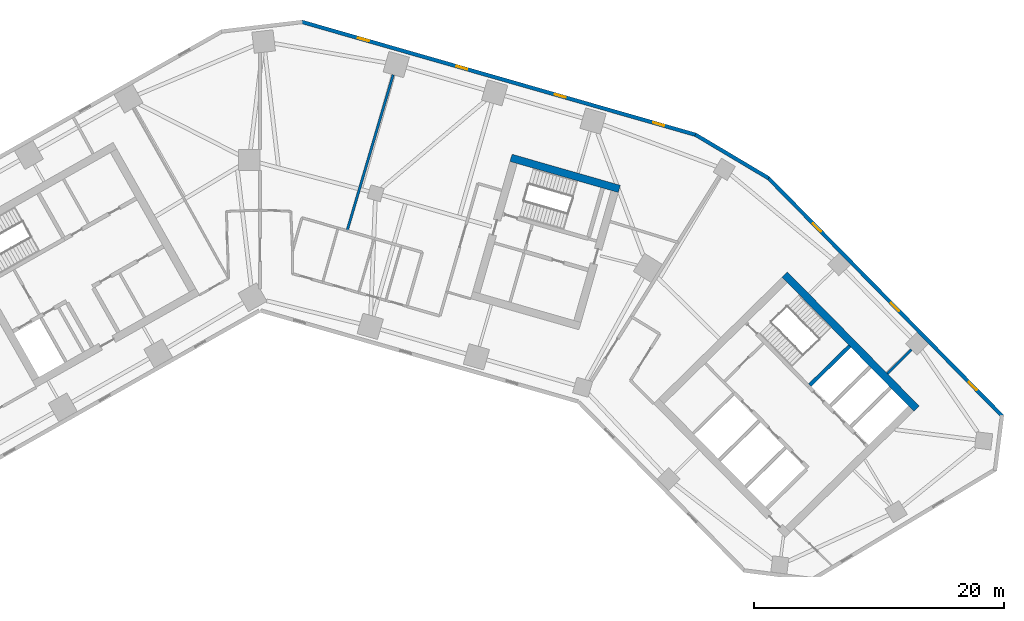
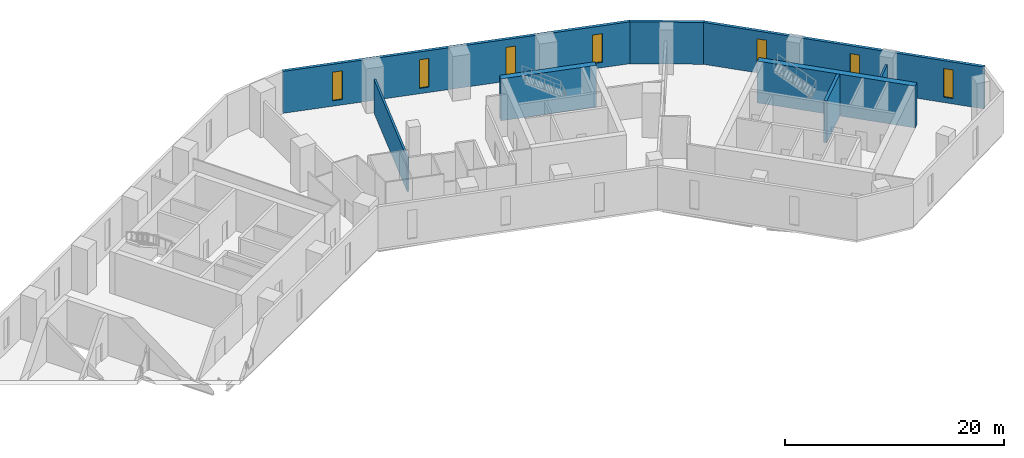
# One storey, part 7 of 10: 8 walls, 7 windows, 7 openings.
"""IFC4 building model written with IfcOpenShell, lengths in metres."""

import ifcopenshell
import ifcopenshell.guid

model = None  # the IFC model being written
_history = None  # IfcOwnerHistory: only IFC2X3 demands one
_inside = {}  # id of a spatial element -> (the spatial element, [elements in it])
_under = {}  # id of a project, library or spatial element -> (it, [spatial elements below it])
_declared = {}  # id of a project -> (the project, [libraries it declares])
_typed = {}  # id of a type object -> (the type object, [elements of that type])
_made_of = {}  # id of a material, layer set ... -> (it, [elements and type objects made of it])


def new_model(schema):
    """Start an empty IFC model of exactly this schema.

    Asked for "IFC4X3", IfcOpenShell would pick the latest addendum, in which some entities
    have other attributes; the version numbers below select the first issue.
    IFC2X3 requires an IfcOwnerHistory on every rooted entity: one is made here for all.
    """
    global model, _history
    if schema == "IFC4X3":
        model = ifcopenshell.file(schema_version=(4, 3, 0, 0))
    else:
        model = ifcopenshell.file(schema=schema)
    _inside.clear()
    _under.clear()
    _declared.clear()
    _typed.clear()
    _made_of.clear()
    _history = None
    if model.schema == "IFC2X3":
        org = make("IfcOrganization", Name="unknown")
        user = make(
            "IfcPersonAndOrganization",
            ThePerson=make("IfcPerson", FamilyName="unknown"),
            TheOrganization=org,
        )
        app = make(
            "IfcApplication",
            ApplicationDeveloper=org,
            Version="unknown",
            ApplicationFullName="unknown",
            ApplicationIdentifier="unknown",
        )
        _history = make(
            "IfcOwnerHistory",
            OwningUser=user,
            OwningApplication=app,
            ChangeAction="ADDED",
            CreationDate=0,
        )
    return model


def make(cls, **values):
    """One entity of the class cls with the attributes given. An attribute that is None is left unset."""
    return model.create_entity(
        cls, **{name: value for name, value in values.items() if value is not None}
    )


def rooted(cls, **values):
    """An entity with a GlobalId (a new one), such as an element, a storey or a relation."""
    return make(cls, GlobalId=ifcopenshell.guid.new(), OwnerHistory=_history, **values)


def si_unit(unit_type, name, prefix=None):
    """IfcSIUnit, for example si_unit("LENGTHUNIT", "METRE", prefix="MILLI")."""
    return make("IfcSIUnit", UnitType=unit_type, Prefix=prefix, Name=name)


def assignment(units):
    """IfcUnitAssignment: the units of a project."""
    return None if units is None else make("IfcUnitAssignment", Units=units)


def point(xyz):
    """IfcCartesianPoint."""
    return None if xyz is None else make("IfcCartesianPoint", Coordinates=xyz)


def direction(xyz):
    """IfcDirection."""
    return None if xyz is None else make("IfcDirection", DirectionRatios=xyz)


def frame(location, z_axis=None, x_axis=None):
    """IfcAxis2Placement3D, a coordinate frame: its origin and axes. An axis left out is left unset."""
    return make(
        "IfcAxis2Placement3D",
        Location=point(location),
        Axis=direction(z_axis),
        RefDirection=direction(x_axis),
    )


def frame_2d(location, x_axis=None):
    """IfcAxis2Placement2D, a coordinate frame in the plane: its origin and x axis."""
    return make(
        "IfcAxis2Placement2D", Location=point(location), RefDirection=direction(x_axis)
    )


def origin():
    """The frame at (0, 0, 0) with its axes left unset."""
    return frame((0.0, 0.0, 0.0))


def place(relative_to, where):
    """IfcLocalPlacement: puts the frame where relative to a parent placement (None: the world)."""
    return make(
        "IfcLocalPlacement", PlacementRelTo=relative_to, RelativePlacement=where
    )


def context(
    kind, dimensions, precision=None, world=None, true_north=None, identifier=None
):
    """IfcGeometricRepresentationContext, for example the 3D "Model" context."""
    return make(
        "IfcGeometricRepresentationContext",
        ContextIdentifier=identifier,
        ContextType=kind,
        CoordinateSpaceDimension=dimensions,
        Precision=precision,
        WorldCoordinateSystem=world,
        TrueNorth=true_north,
    )


def subcontext(parent, identifier, kind, view, scale=None):
    """IfcGeometricRepresentationSubContext, for example "Body" below "Model"."""
    return make(
        "IfcGeometricRepresentationSubContext",
        ContextIdentifier=identifier,
        ContextType=kind,
        ParentContext=parent,
        TargetScale=scale,
        TargetView=view,
    )


def project(units=None, contexts=None):
    """IfcProject with its units and contexts."""
    return rooted(
        "IfcProject",
        Name="project",
        RepresentationContexts=contexts,
        UnitsInContext=assignment(units),
    )


def spatial(cls, under=None, at=None, **own):
    """A site, building, storey or space (cls), placed at a placement, below another one or the project."""
    s = rooted(cls, ObjectPlacement=at, **own)
    if under is not None:
        _under.setdefault(under.id(), (under, []))[1].append(s)
    return s


def profile(cls, at=None, kind="AREA", **sizes):
    """A parametric profile (cls). Its sizes go by their IFC names, for example OverallWidth=200.0."""
    return make(cls, ProfileType=kind, Position=at, **sizes)


def rectangle(**sizes):
    """IfcRectangleProfileDef."""
    return profile("IfcRectangleProfileDef", **sizes)


def extrude(swept, where, along, depth):
    """IfcExtrudedAreaSolid: the profile swept, set in the frame where, extruded along a direction by depth."""
    return make(
        "IfcExtrudedAreaSolid",
        SweptArea=swept,
        Position=where,
        ExtrudedDirection=direction(along),
        Depth=depth,
    )


def shape(context_of_items, identifier, shape_type, items):
    """IfcShapeRepresentation: the items that make up one representation, for example the "Body"."""
    return make(
        "IfcShapeRepresentation",
        ContextOfItems=context_of_items,
        RepresentationIdentifier=identifier,
        RepresentationType=shape_type,
        Items=items,
    )


def material(Name=None, Category=None):
    """IfcMaterial."""
    return make("IfcMaterial", Name=Name, Category=Category)


def layer(
    of_material, thickness, ventilated=None, Name=None, Category=None, Priority=None
):
    """IfcMaterialLayer: one layer of a wall or slab, of a material (None: an air gap)."""
    return make(
        "IfcMaterialLayer",
        Material=of_material,
        LayerThickness=thickness,
        IsVentilated=ventilated,
        Name=Name,
        Category=Category,
        Priority=Priority,
    )


def layer_set(layers, Name=None):
    """IfcMaterialLayerSet."""
    return make("IfcMaterialLayerSet", MaterialLayers=layers, LayerSetName=Name)


def made_of(thing, what):
    """Note that an element or type object is made of a material, layer set ...; save() writes the relation."""
    if what is not None:
        _made_of.setdefault(what.id(), (what, []))[1].append(thing)
    return thing


def type_object(cls, material=None, **own):
    """A type object (cls), such as IfcWallType, which elements share."""
    return made_of(rooted(cls, **own), material)


def element(
    cls,
    number,
    at=None,
    inside=None,
    cuts=None,
    type_object=None,
    material=None,
    context=None,
    identifier="Body",
    shape_type=None,
    held_by="IfcProductDefinitionShape",
    body=None,
    shapes=None,
    **own,
):
    """One element of the class cls, such as IfcWall. Its Tag is "e" and its number.

    at: its placement. inside: the storey or other place that contains it. cuts: it is an
    opening in that element (IfcRelVoidsElement). A single representation is given by context,
    identifier, shape_type and body (its items); several are given by shapes. held_by: the class
    of the entity that holds the representations. save() writes the other relations.
    """
    e = rooted(cls, Tag="e%d" % number, ObjectPlacement=at, **own)
    if body is not None:
        shapes = [shape(context, identifier, shape_type, body)]
    if shapes is not None:
        e.Representation = make(held_by, Representations=shapes)
    if inside is not None:
        _inside.setdefault(inside.id(), (inside, []))[1].append(e)
    if cuts is not None:
        rooted(
            "IfcRelVoidsElement", RelatingBuildingElement=cuts, RelatedOpeningElement=e
        )
    if type_object is not None:
        _typed.setdefault(type_object.id(), (type_object, []))[1].append(e)
    return made_of(e, material)


def fill(opening, filler):
    """IfcRelFillsElement: the door or window that sits in an opening."""
    return rooted(
        "IfcRelFillsElement",
        RelatingOpeningElement=opening,
        RelatedBuildingElement=filler,
    )


def aggregate(whole, parts):
    """IfcRelAggregates: a whole, such as a stair, and the parts it consists of."""
    return rooted("IfcRelAggregates", RelatingObject=whole, RelatedObjects=parts)


def save(model, path):
    """Write the relations noted so far, then the file.

    IfcRelAggregates (storeys below a building ...), IfcRelContainedInSpatialStructure (elements
    in a storey), IfcRelDefinesByType, IfcRelAssociatesMaterial and IfcRelDeclares: one each for
    every whole, place, type object, material and project.
    """
    for whole, parts in _under.values():
        aggregate(whole, parts)
    for where, things in _inside.values():
        rooted(
            "IfcRelContainedInSpatialStructure",
            RelatedElements=things,
            RelatingStructure=where,
        )
    for kind, things in _typed.values():
        rooted("IfcRelDefinesByType", RelatedObjects=things, RelatingType=kind)
    for what, things in _made_of.values():
        rooted("IfcRelAssociatesMaterial", RelatedObjects=things, RelatingMaterial=what)
    for by, libraries in _declared.values():
        rooted("IfcRelDeclares", RelatingContext=by, RelatedDefinitions=libraries)
    model.write(path)


model = new_model("IFC4")

# Units and contexts
model_context = context("Model", 3, precision=1e-05, world=origin(), true_north=direction((0.0, 1.0)))
body_context = subcontext(model_context, "Body", "Model", "MODEL_VIEW")
ifc_project = project(units=[si_unit("LENGTHUNIT", "METRE"), si_unit("AREAUNIT", "SQUARE_METRE"), si_unit("VOLUMEUNIT", "CUBIC_METRE"), si_unit("PLANEANGLEUNIT", "RADIAN"), si_unit("MASSUNIT", "GRAM", prefix="KILO")], contexts=[model_context])

# Site, building, storey
site_placement = place(None, origin())
site = spatial("IfcSite", under=ifc_project, at=site_placement, CompositionType="ELEMENT")
building_placement = place(site_placement, origin())
building = spatial("IfcBuilding", under=site, at=building_placement, Name="Binnacle Exchange Tower", CompositionType="ELEMENT")
storey_placement = place(building_placement, frame((0.0, 0.0, 51.5)))
storey = spatial("IfcBuildingStorey", under=building, at=storey_placement, Name="L10", CompositionType="ELEMENT", Elevation=51.5)

# Walls
ifc_material_1 = material(Name="Concrete C70/85", Category="concrete")
ifc_layer_1 = layer(ifc_material_1, 0.60009765625)
ifc_layer_set_1 = layer_set([ifc_layer_1], Name="Core wall - outer 600")
wall_type_1 = type_object("IfcWallType", Name="Core wall - outer 600", PredefinedType="SOLIDWALL", material=ifc_layer_set_1)
wall_1_placement = place(storey_placement, frame((41.91650390625, 50.855712890625, 0.0), z_axis=(0.0, 0.0, 1.0), x_axis=(0.700911255944, -0.713248491965, 0.0)))
element("IfcWall", 1, at=wall_1_placement, inside=storey, type_object=wall_type_1, Name="Core wall CRWB6", PredefinedType="SOLIDWALL", context=body_context, shape_type="SweptSolid", body=[
    extrude(rectangle(XDim=15.0, YDim=0.60009765625, at=frame_2d((7.5, 0.0))), origin(), (0.0, 0.0, 1.0), 4.679931640625),
])
wall_2_placement = place(storey_placement, frame((20.052734375, 60.1796875, 0.0), z_axis=(0.0, 0.0, 1.0), x_axis=(0.96126248289, -0.275634611374, 0.0)))
element("IfcWall", 2, at=wall_2_placement, inside=storey, type_object=wall_type_1, Name="Core wall CRWD6", PredefinedType="SOLIDWALL", context=body_context, shape_type="SweptSolid", body=[
    extrude(rectangle(XDim=9.0, YDim=0.60009765625, at=frame_2d((4.5, 0.0))), origin(), (0.0, 0.0, 1.0), 4.679931640625),
])
ifc_layer_2 = layer(ifc_material_1, 0.300048828125)
ifc_layer_set_2 = layer_set([ifc_layer_2], Name="Core wall - stair 300")
wall_type_2 = type_object("IfcWallType", Name="Core wall - stair 300", PredefinedType="SOLIDWALL", material=ifc_layer_set_2)
wall_3_placement = place(storey_placement, frame((43.925537109375, 42.034423828125, 0.0), z_axis=(0.0, 0.0, 1.0), x_axis=(0.713251741427, 0.700907949271, 0.0)))
element("IfcWall", 3, at=wall_3_placement, inside=storey, type_object=wall_type_2, Name="Core wall CRWB11", PredefinedType="SOLIDWALL", context=body_context, shape_type="SweptSolid", body=[
    extrude(rectangle(XDim=4.4501953125, YDim=0.300048828125, at=frame_2d((2.22509765625, 0.0))), origin(), (0.0, 0.0, 1.0), 4.679931640625),
])
ifc_material_2 = material(Name="Bronze aluminium cladding", Category="aluminium")
ifc_layer_3 = layer(ifc_material_2, 0.300048828125)
ifc_layer_set_3 = layer_set([ifc_layer_3], Name="External wall - spandrel 300")
wall_type_3 = type_object("IfcWallType", Name="External wall - spandrel 300", PredefinedType="STANDARD", material=ifc_layer_set_3)
wall_4_placement = place(storey_placement, frame((34.773193359375, 62.0341796875, 0.0), z_axis=(0.0, 0.0, 1.0), x_axis=(0.859401317772, -0.511301647769, 0.0)))
element("IfcWall", 4, at=wall_4_placement, inside=storey, type_object=wall_type_3, Name="External wall EW-F00 L10", PredefinedType="STANDARD", context=body_context, shape_type="SweptSolid", body=[
    extrude(rectangle(XDim=6.80810546875, YDim=0.300048828125, at=frame_2d((3.404052734375, 0.0))), origin(), (0.0, 0.0, 1.0), 4.679931640625),
])

# Wall, openings, windows
wall_5_placement = place(storey_placement, frame((3.33544921875, 71.043701171875, 0.0), z_axis=(0.0, 0.0, 1.0), x_axis=(0.961260130989, -0.275642813387, 0.0)))
wall_5 = element("IfcWall", 5, at=wall_5_placement, inside=storey, type_object=wall_type_3, Name="External wall EW-F01 L10", PredefinedType="STANDARD", context=body_context, shape_type="SweptSolid", body=[
    extrude(rectangle(XDim=32.7412109375, YDim=0.300048828125, at=frame_2d((16.37060546875, 0.0))), origin(), (0.0, 0.0, 1.0), 4.679931640625),
])
opening_1_placement = place(wall_5_placement, frame((29.20703125, 0.0, 0.60009765625)))
opening_1 = element("IfcOpeningElement", 6, at=opening_1_placement, cuts=wall_5, Name="Opening WS1", PredefinedType="OPENING", context=body_context, shape_type="SweptSolid", body=[
    extrude(rectangle(XDim=0.89990234375, YDim=3.199951171875, at=frame_2d((0.449951171875, 1.60009765625))), frame((0.0, 0.159912109375, 0.0), z_axis=(0.0, -1.0, 0.0), x_axis=(1.0, 0.0, 0.0)), (0.0, 0.0, 1.0), 0.320068359375),
])
opening_2_placement = place(wall_5_placement, frame((21.0341796875, 0.0, 0.60009765625)))
opening_2 = element("IfcOpeningElement", 7, at=opening_2_placement, cuts=wall_5, Name="Opening WS1", PredefinedType="OPENING", context=body_context, shape_type="SweptSolid", body=[
    extrude(rectangle(XDim=0.89990234375, YDim=3.199951171875, at=frame_2d((0.449951171875, 1.60009765625))), frame((0.0, 0.159912109375, 0.0), z_axis=(0.0, -1.0, 0.0), x_axis=(1.0, 0.0, 0.0)), (0.0, 0.0, 1.0), 0.320068359375),
])
opening_3_placement = place(wall_5_placement, frame((12.861083984375, 0.0, 0.60009765625)))
opening_3 = element("IfcOpeningElement", 8, at=opening_3_placement, cuts=wall_5, Name="Opening WS1", PredefinedType="OPENING", context=body_context, shape_type="SweptSolid", body=[
    extrude(rectangle(XDim=0.89990234375, YDim=3.199951171875, at=frame_2d((0.449951171875, 1.60009765625))), frame((0.0, 0.159912109375, 0.0), z_axis=(0.0, -1.0, 0.0), x_axis=(1.0, 0.0, 0.0)), (0.0, 0.0, 1.0), 0.320068359375),
])
opening_4_placement = place(wall_5_placement, frame((4.688232421875, 0.0, 0.60009765625)))
opening_4 = element("IfcOpeningElement", 9, at=opening_4_placement, cuts=wall_5, Name="Opening WS1", PredefinedType="OPENING", context=body_context, shape_type="SweptSolid", body=[
    extrude(rectangle(XDim=0.89990234375, YDim=3.199951171875, at=frame_2d((0.449951171875, 1.60009765625))), frame((0.0, 0.159912109375, 0.0), z_axis=(0.0, -1.0, 0.0), x_axis=(1.0, 0.0, 0.0)), (0.0, 0.0, 1.0), 0.320068359375),
])
ifc_material_3 = material(Name="Bronze anodised aluminium frame", Category="aluminium")
window_type = type_object("IfcWindowType", Name="WS1 WINDOW 900x3200", PartitioningType="SINGLE_PANEL", PredefinedType="WINDOW", material=ifc_material_3)
window_1_placement = place(opening_1_placement, origin())
window_1 = element("IfcWindow", 10, at=window_1_placement, inside=storey, type_object=window_type, Name="Window WS1 L10", OverallHeight=3.199951171875, OverallWidth=0.89990234375, PartitioningType="SINGLE_PANEL", PredefinedType="WINDOW", context=body_context, shape_type="SweptSolid", body=[
    extrude(rectangle(XDim=0.89990234375, YDim=3.199951171875, at=frame_2d((0.449951171875, 1.60009765625))), frame((0.0, 0.030029296875, 0.0), z_axis=(0.0, -1.0, 0.0), x_axis=(1.0, 0.0, 0.0)), (0.0, 0.0, 1.0), 0.06005859375),
])
fill(opening_1, window_1)
window_2_placement = place(opening_2_placement, origin())
window_2 = element("IfcWindow", 11, at=window_2_placement, inside=storey, type_object=window_type, Name="Window WS1 L10", OverallHeight=3.199951171875, OverallWidth=0.89990234375, PartitioningType="SINGLE_PANEL", PredefinedType="WINDOW", context=body_context, shape_type="SweptSolid", body=[
    extrude(rectangle(XDim=0.89990234375, YDim=3.199951171875, at=frame_2d((0.449951171875, 1.60009765625))), frame((0.0, 0.030029296875, 0.0), z_axis=(0.0, -1.0, 0.0), x_axis=(1.0, 0.0, 0.0)), (0.0, 0.0, 1.0), 0.06005859375),
])
fill(opening_2, window_2)
window_3_placement = place(opening_3_placement, origin())
window_3 = element("IfcWindow", 12, at=window_3_placement, inside=storey, type_object=window_type, Name="Window WS1 L10", OverallHeight=3.199951171875, OverallWidth=0.89990234375, PartitioningType="SINGLE_PANEL", PredefinedType="WINDOW", context=body_context, shape_type="SweptSolid", body=[
    extrude(rectangle(XDim=0.89990234375, YDim=3.199951171875, at=frame_2d((0.449951171875, 1.60009765625))), frame((0.0, 0.030029296875, 0.0), z_axis=(0.0, -1.0, 0.0), x_axis=(1.0, 0.0, 0.0)), (0.0, 0.0, 1.0), 0.06005859375),
])
fill(opening_3, window_3)
window_4_placement = place(opening_4_placement, origin())
window_4 = element("IfcWindow", 13, at=window_4_placement, inside=storey, type_object=window_type, Name="Window WS1 L10", OverallHeight=3.199951171875, OverallWidth=0.89990234375, PartitioningType="SINGLE_PANEL", PredefinedType="WINDOW", context=body_context, shape_type="SweptSolid", body=[
    extrude(rectangle(XDim=0.89990234375, YDim=3.199951171875, at=frame_2d((0.449951171875, 1.60009765625))), frame((0.0, 0.030029296875, 0.0), z_axis=(0.0, -1.0, 0.0), x_axis=(1.0, 0.0, 0.0)), (0.0, 0.0, 1.0), 0.06005859375),
])
fill(opening_4, window_4)

wall_6_placement = place(storey_placement, frame((40.59375, 58.576904296875, 0.0), z_axis=(0.0, 0.0, 1.0), x_axis=(0.700909719808, -0.713250001528, 0.0)))
wall_6 = element("IfcWall", 14, at=wall_6_placement, inside=storey, type_object=wall_type_3, Name="External wall EW-F13 L10", PredefinedType="STANDARD", context=body_context, shape_type="SweptSolid", body=[
    extrude(rectangle(XDim=26.70849609375, YDim=0.300048828125, at=frame_2d((13.354248046875, 0.0))), origin(), (0.0, 0.0, 1.0), 4.679931640625),
])
opening_5_placement = place(wall_6_placement, frame((22.8583984375, 0.0, 0.60009765625)))
opening_5 = element("IfcOpeningElement", 15, at=opening_5_placement, cuts=wall_6, Name="Opening WS1", PredefinedType="OPENING", context=body_context, shape_type="SweptSolid", body=[
    extrude(rectangle(XDim=0.89990234375, YDim=3.199951171875, at=frame_2d((0.449951171875, 1.60009765625))), frame((0.0, 0.159912109375, 0.0), z_axis=(0.0, -1.0, 0.0), x_axis=(1.0, 0.0, 0.0)), (0.0, 0.0, 1.0), 0.320068359375),
])
opening_6_placement = place(wall_6_placement, frame((13.986572265625, 0.0, 0.60009765625)))
opening_6 = element("IfcOpeningElement", 16, at=opening_6_placement, cuts=wall_6, Name="Opening WS1", PredefinedType="OPENING", context=body_context, shape_type="SweptSolid", body=[
    extrude(rectangle(XDim=0.89990234375, YDim=3.199951171875, at=frame_2d((0.449951171875, 1.60009765625))), frame((0.0, 0.159912109375, 0.0), z_axis=(0.0, -1.0, 0.0), x_axis=(1.0, 0.0, 0.0)), (0.0, 0.0, 1.0), 0.320068359375),
])
opening_7_placement = place(wall_6_placement, frame((5.114501953125, 0.0, 0.60009765625)))
opening_7 = element("IfcOpeningElement", 17, at=opening_7_placement, cuts=wall_6, Name="Opening WS1", PredefinedType="OPENING", context=body_context, shape_type="SweptSolid", body=[
    extrude(rectangle(XDim=0.89990234375, YDim=3.199951171875, at=frame_2d((0.449951171875, 1.60009765625))), frame((0.0, 0.159912109375, 0.0), z_axis=(0.0, -1.0, 0.0), x_axis=(1.0, 0.0, 0.0)), (0.0, 0.0, 1.0), 0.320068359375),
])
window_5_placement = place(opening_5_placement, origin())
window_5 = element("IfcWindow", 18, at=window_5_placement, inside=storey, type_object=window_type, Name="Window WS1 L10", OverallHeight=3.199951171875, OverallWidth=0.89990234375, PartitioningType="SINGLE_PANEL", PredefinedType="WINDOW", context=body_context, shape_type="SweptSolid", body=[
    extrude(rectangle(XDim=0.89990234375, YDim=3.199951171875, at=frame_2d((0.449951171875, 1.60009765625))), frame((0.0, 0.030029296875, 0.0), z_axis=(0.0, -1.0, 0.0), x_axis=(1.0, 0.0, 0.0)), (0.0, 0.0, 1.0), 0.06005859375),
])
fill(opening_5, window_5)
window_6_placement = place(opening_6_placement, origin())
window_6 = element("IfcWindow", 19, at=window_6_placement, inside=storey, type_object=window_type, Name="Window WS1 L10", OverallHeight=3.199951171875, OverallWidth=0.89990234375, PartitioningType="SINGLE_PANEL", PredefinedType="WINDOW", context=body_context, shape_type="SweptSolid", body=[
    extrude(rectangle(XDim=0.89990234375, YDim=3.199951171875, at=frame_2d((0.449951171875, 1.60009765625))), frame((0.0, 0.030029296875, 0.0), z_axis=(0.0, -1.0, 0.0), x_axis=(1.0, 0.0, 0.0)), (0.0, 0.0, 1.0), 0.06005859375),
])
fill(opening_6, window_6)
window_7_placement = place(opening_7_placement, origin())
window_7 = element("IfcWindow", 20, at=window_7_placement, inside=storey, type_object=window_type, Name="Window WS1 L10", OverallHeight=3.199951171875, OverallWidth=0.89990234375, PartitioningType="SINGLE_PANEL", PredefinedType="WINDOW", context=body_context, shape_type="SweptSolid", body=[
    extrude(rectangle(XDim=0.89990234375, YDim=3.199951171875, at=frame_2d((0.449951171875, 1.60009765625))), frame((0.0, 0.030029296875, 0.0), z_axis=(0.0, -1.0, 0.0), x_axis=(1.0, 0.0, 0.0)), (0.0, 0.0, 1.0), 0.06005859375),
])
fill(opening_7, window_7)

# Walls
ifc_material_4 = material(Name="Masonry block wall", Category="masonry")
ifc_layer_4 = layer(ifc_material_4, 0.199951171875)
ifc_layer_set_4 = layer_set([ifc_layer_4], Name="Fire wall - block 200")
wall_type_4 = type_object("IfcWallType", Name="Fire wall - block 200", PredefinedType="PARTITIONING", material=ifc_layer_set_4)
wall_7_placement = place(storey_placement, frame((6.966064453125, 54.362060546875, 0.0), z_axis=(0.0, 0.0, 1.0), x_axis=(0.283027392509, 0.959111826165, 0.0)))
element("IfcWall", 21, at=wall_7_placement, inside=storey, type_object=wall_type_4, Name="Partition W23", PredefinedType="PARTITIONING", context=body_context, shape_type="SweptSolid", body=[
    extrude(rectangle(XDim=12.98486328125, YDim=0.199951171875, at=frame_2d((6.492431640625, 0.0))), origin(), (0.0, 0.0, 1.0), 3.741943359375),
])
wall_8_placement = place(storey_placement, frame((50.111083984375, 42.945068359375, 0.0), z_axis=(0.0, 0.0, 1.0), x_axis=(0.703583283707, 0.710612807996, 0.0)))
element("IfcWall", 22, at=wall_8_placement, inside=storey, type_object=wall_type_4, Name="Partition W44", PredefinedType="PARTITIONING", context=body_context, shape_type="SweptSolid", body=[
    extrude(rectangle(XDim=2.708984375, YDim=0.199951171875, at=frame_2d((1.3544921875, 0.0))), origin(), (0.0, 0.0, 1.0), 4.2099609375),
])

save(model, "model.ifc")
